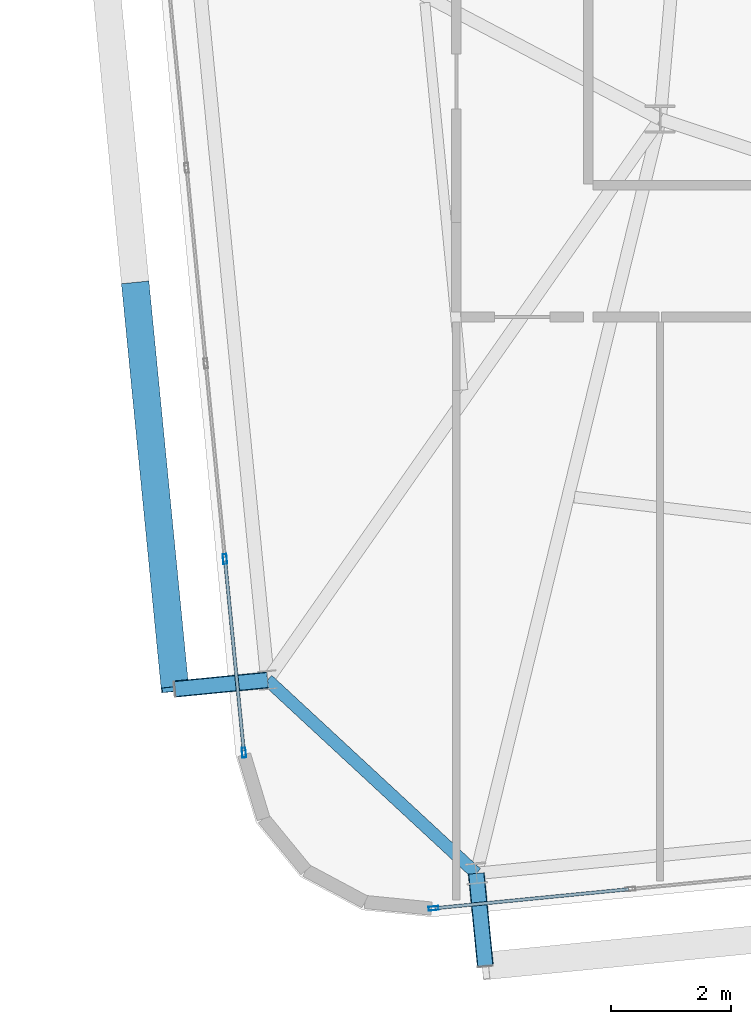
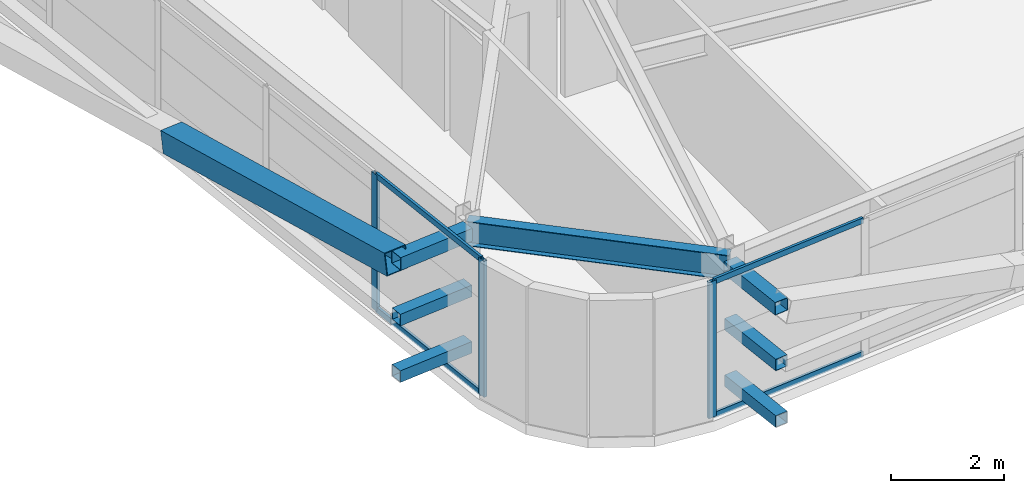
# One storey, part 5 of 52: 14 members, 1 beam, 2 elements without a shape of their own.
"""IFC4 building model written with IfcOpenShell, lengths in metres."""

import ifcopenshell
import ifcopenshell.guid

model = None  # the IFC model being written
_history = None  # IfcOwnerHistory: only IFC2X3 demands one
_inside = {}  # id of a spatial element -> (the spatial element, [elements in it])
_under = {}  # id of a project, library or spatial element -> (it, [spatial elements below it])
_declared = {}  # id of a project -> (the project, [libraries it declares])
_typed = {}  # id of a type object -> (the type object, [elements of that type])
_made_of = {}  # id of a material, layer set ... -> (it, [elements and type objects made of it])


def new_model(schema):
    """Start an empty IFC model of exactly this schema.

    Asked for "IFC4X3", IfcOpenShell would pick the latest addendum, in which some entities
    have other attributes; the version numbers below select the first issue.
    IFC2X3 requires an IfcOwnerHistory on every rooted entity: one is made here for all.
    """
    global model, _history
    if schema == "IFC4X3":
        model = ifcopenshell.file(schema_version=(4, 3, 0, 0))
    else:
        model = ifcopenshell.file(schema=schema)
    _inside.clear()
    _under.clear()
    _declared.clear()
    _typed.clear()
    _made_of.clear()
    _history = None
    if model.schema == "IFC2X3":
        org = make("IfcOrganization", Name="unknown")
        user = make(
            "IfcPersonAndOrganization",
            ThePerson=make("IfcPerson", FamilyName="unknown"),
            TheOrganization=org,
        )
        app = make(
            "IfcApplication",
            ApplicationDeveloper=org,
            Version="unknown",
            ApplicationFullName="unknown",
            ApplicationIdentifier="unknown",
        )
        _history = make(
            "IfcOwnerHistory",
            OwningUser=user,
            OwningApplication=app,
            ChangeAction="ADDED",
            CreationDate=0,
        )
    return model


def make(cls, **values):
    """One entity of the class cls with the attributes given. An attribute that is None is left unset."""
    return model.create_entity(
        cls, **{name: value for name, value in values.items() if value is not None}
    )


def rooted(cls, **values):
    """An entity with a GlobalId (a new one), such as an element, a storey or a relation."""
    return make(cls, GlobalId=ifcopenshell.guid.new(), OwnerHistory=_history, **values)


def si_unit(unit_type, name, prefix=None):
    """IfcSIUnit, for example si_unit("LENGTHUNIT", "METRE", prefix="MILLI")."""
    return make("IfcSIUnit", UnitType=unit_type, Prefix=prefix, Name=name)


def assignment(units):
    """IfcUnitAssignment: the units of a project."""
    return None if units is None else make("IfcUnitAssignment", Units=units)


def point(xyz):
    """IfcCartesianPoint."""
    return None if xyz is None else make("IfcCartesianPoint", Coordinates=xyz)


def direction(xyz):
    """IfcDirection."""
    return None if xyz is None else make("IfcDirection", DirectionRatios=xyz)


def frame(location, z_axis=None, x_axis=None):
    """IfcAxis2Placement3D, a coordinate frame: its origin and axes. An axis left out is left unset."""
    return make(
        "IfcAxis2Placement3D",
        Location=point(location),
        Axis=direction(z_axis),
        RefDirection=direction(x_axis),
    )


def frame_2d(location, x_axis=None):
    """IfcAxis2Placement2D, a coordinate frame in the plane: its origin and x axis."""
    return make(
        "IfcAxis2Placement2D", Location=point(location), RefDirection=direction(x_axis)
    )


def origin():
    """The frame at (0, 0, 0) with its axes left unset."""
    return frame((0.0, 0.0, 0.0))


def origin_2d():
    """The frame at (0, 0) in the plane with its x axis left unset."""
    return frame_2d((0.0, 0.0))


def place(relative_to, where):
    """IfcLocalPlacement: puts the frame where relative to a parent placement (None: the world)."""
    return make(
        "IfcLocalPlacement", PlacementRelTo=relative_to, RelativePlacement=where
    )


def context(
    kind, dimensions, precision=None, world=None, true_north=None, identifier=None
):
    """IfcGeometricRepresentationContext, for example the 3D "Model" context."""
    return make(
        "IfcGeometricRepresentationContext",
        ContextIdentifier=identifier,
        ContextType=kind,
        CoordinateSpaceDimension=dimensions,
        Precision=precision,
        WorldCoordinateSystem=world,
        TrueNorth=true_north,
    )


def subcontext(parent, identifier, kind, view, scale=None):
    """IfcGeometricRepresentationSubContext, for example "Body" below "Model"."""
    return make(
        "IfcGeometricRepresentationSubContext",
        ContextIdentifier=identifier,
        ContextType=kind,
        ParentContext=parent,
        TargetScale=scale,
        TargetView=view,
    )


def project(units=None, contexts=None):
    """IfcProject with its units and contexts."""
    return rooted(
        "IfcProject",
        Name="project",
        RepresentationContexts=contexts,
        UnitsInContext=assignment(units),
    )


def spatial(cls, under=None, at=None, **own):
    """A site, building, storey or space (cls), placed at a placement, below another one or the project."""
    s = rooted(cls, ObjectPlacement=at, **own)
    if under is not None:
        _under.setdefault(under.id(), (under, []))[1].append(s)
    return s


def profile(cls, at=None, kind="AREA", **sizes):
    """A parametric profile (cls). Its sizes go by their IFC names, for example OverallWidth=200.0."""
    return make(cls, ProfileType=kind, Position=at, **sizes)


def hollow_rectangle(**sizes):
    """IfcRectangleHollowProfileDef."""
    return profile("IfcRectangleHollowProfileDef", **sizes)


def i_section(**sizes):
    """IfcIShapeProfileDef."""
    return profile("IfcIShapeProfileDef", **sizes)


def extrude(swept, where, along, depth):
    """IfcExtrudedAreaSolid: the profile swept, set in the frame where, extruded along a direction by depth."""
    return make(
        "IfcExtrudedAreaSolid",
        SweptArea=swept,
        Position=where,
        ExtrudedDirection=direction(along),
        Depth=depth,
    )


def shape(context_of_items, identifier, shape_type, items):
    """IfcShapeRepresentation: the items that make up one representation, for example the "Body"."""
    return make(
        "IfcShapeRepresentation",
        ContextOfItems=context_of_items,
        RepresentationIdentifier=identifier,
        RepresentationType=shape_type,
        Items=items,
    )


def source(mapping_origin, context_of_items, identifier, shape_type, items):
    """IfcRepresentationMap: a shape defined once, which mapped items show again and again."""
    return make(
        "IfcRepresentationMap",
        MappingOrigin=mapping_origin,
        MappedRepresentation=shape(context_of_items, identifier, shape_type, items),
    )


def transform(
    local_origin,
    x_axis=None,
    y_axis=None,
    z_axis=None,
    scale=None,
    scale2=None,
    scale3=None,
    uniform=True,
):
    """IfcCartesianTransformationOperator3D, or its non-uniform kind. x_axis, y_axis, z_axis: its Axis1, 2, 3."""
    if uniform:
        return make(
            "IfcCartesianTransformationOperator3D",
            Axis1=direction(x_axis),
            Axis2=direction(y_axis),
            LocalOrigin=point(local_origin),
            Scale=scale,
            Axis3=direction(z_axis),
        )
    return make(
        "IfcCartesianTransformationOperator3DnonUniform",
        Axis1=direction(x_axis),
        Axis2=direction(y_axis),
        LocalOrigin=point(local_origin),
        Scale=scale,
        Axis3=direction(z_axis),
        Scale2=scale2,
        Scale3=scale3,
    )


def mapped(mapping_source, mapping_target):
    """IfcMappedItem: shows the shape of a source again, moved by a transform."""
    return make(
        "IfcMappedItem", MappingSource=mapping_source, MappingTarget=mapping_target
    )


def material(Name=None, Category=None):
    """IfcMaterial."""
    return make("IfcMaterial", Name=Name, Category=Category)


def layer(
    of_material, thickness, ventilated=None, Name=None, Category=None, Priority=None
):
    """IfcMaterialLayer: one layer of a wall or slab, of a material (None: an air gap)."""
    return make(
        "IfcMaterialLayer",
        Material=of_material,
        LayerThickness=thickness,
        IsVentilated=ventilated,
        Name=Name,
        Category=Category,
        Priority=Priority,
    )


def layer_set(layers, Name=None):
    """IfcMaterialLayerSet."""
    return make("IfcMaterialLayerSet", MaterialLayers=layers, LayerSetName=Name)


def material_profile(
    of_material, cross_section, Name=None, Category=None, Priority=None
):
    """IfcMaterialProfile: a cross section and its material."""
    return make(
        "IfcMaterialProfile",
        Name=Name,
        Material=of_material,
        Profile=cross_section,
        Priority=Priority,
        Category=Category,
    )


def profile_set(profiles, Name=None, composite=None):
    """IfcMaterialProfileSet."""
    return make(
        "IfcMaterialProfileSet",
        Name=Name,
        MaterialProfiles=profiles,
        CompositeProfile=composite,
    )


def made_of(thing, what):
    """Note that an element or type object is made of a material, layer set ...; save() writes the relation."""
    if what is not None:
        _made_of.setdefault(what.id(), (what, []))[1].append(thing)
    return thing


def type_object(cls, material=None, **own):
    """A type object (cls), such as IfcWallType, which elements share."""
    return made_of(rooted(cls, **own), material)


def element(
    cls,
    number,
    at=None,
    inside=None,
    cuts=None,
    type_object=None,
    material=None,
    context=None,
    identifier="Body",
    shape_type=None,
    held_by="IfcProductDefinitionShape",
    body=None,
    shapes=None,
    **own,
):
    """One element of the class cls, such as IfcWall. Its Tag is "e" and its number.

    at: its placement. inside: the storey or other place that contains it. cuts: it is an
    opening in that element (IfcRelVoidsElement). A single representation is given by context,
    identifier, shape_type and body (its items); several are given by shapes. held_by: the class
    of the entity that holds the representations. save() writes the other relations.
    """
    e = rooted(cls, Tag="e%d" % number, ObjectPlacement=at, **own)
    if body is not None:
        shapes = [shape(context, identifier, shape_type, body)]
    if shapes is not None:
        e.Representation = make(held_by, Representations=shapes)
    if inside is not None:
        _inside.setdefault(inside.id(), (inside, []))[1].append(e)
    if cuts is not None:
        rooted(
            "IfcRelVoidsElement", RelatingBuildingElement=cuts, RelatedOpeningElement=e
        )
    if type_object is not None:
        _typed.setdefault(type_object.id(), (type_object, []))[1].append(e)
    return made_of(e, material)


def aggregate(whole, parts):
    """IfcRelAggregates: a whole, such as a stair, and the parts it consists of."""
    return rooted("IfcRelAggregates", RelatingObject=whole, RelatedObjects=parts)


def save(model, path):
    """Write the relations noted so far, then the file.

    IfcRelAggregates (storeys below a building ...), IfcRelContainedInSpatialStructure (elements
    in a storey), IfcRelDefinesByType, IfcRelAssociatesMaterial and IfcRelDeclares: one each for
    every whole, place, type object, material and project.
    """
    for whole, parts in _under.values():
        aggregate(whole, parts)
    for where, things in _inside.values():
        rooted(
            "IfcRelContainedInSpatialStructure",
            RelatedElements=things,
            RelatingStructure=where,
        )
    for kind, things in _typed.values():
        rooted("IfcRelDefinesByType", RelatedObjects=things, RelatingType=kind)
    for what, things in _made_of.values():
        rooted("IfcRelAssociatesMaterial", RelatedObjects=things, RelatingMaterial=what)
    for by, libraries in _declared.values():
        rooted("IfcRelDeclares", RelatingContext=by, RelatedDefinitions=libraries)
    model.write(path)


model = new_model("IFC4")

# Units and contexts
model_context = context("Model", 3, precision=1e-05, world=origin(), true_north=direction((0.0, 1.0)))
body_context = subcontext(model_context, "Body", "Model", "MODEL_VIEW")
ifc_project = project(units=[si_unit("LENGTHUNIT", "METRE"), si_unit("AREAUNIT", "SQUARE_METRE"), si_unit("VOLUMEUNIT", "CUBIC_METRE"), si_unit("PLANEANGLEUNIT", "RADIAN"), si_unit("MASSUNIT", "GRAM", prefix="KILO")], contexts=[model_context])

# Site, building, storey
site_placement = place(None, origin())
site = spatial("IfcSite", under=ifc_project, at=site_placement, CompositionType="ELEMENT")
building_placement = place(site_placement, origin())
building = spatial("IfcBuilding", under=site, at=building_placement, Name="Taldren Reach Tower", CompositionType="ELEMENT")
storey_placement = place(building_placement, frame((0.0, 0.0, 96.60009765625)))
storey = spatial("IfcBuildingStorey", under=building, at=storey_placement, Name="L29", CompositionType="ELEMENT", Elevation=96.60009765625)

# Beam
ifc_material_1 = material(Name="Steel Gr 350 (350PLUS)", Category="steel")
ifc_material_profile_1 = material_profile(ifc_material_1, i_section(OverallWidth=0.208984375, OverallDepth=0.528076171875, WebThickness=0.009521484375, FlangeThickness=0.01318359375, at=origin_2d()), Name="530UB82.0")
ifc_profile_set_1 = profile_set([ifc_material_profile_1], Name="Steel Gr 350 (350PLUS)")
beam_type = type_object("IfcBeamType", Name="SP-UB530B", PredefinedType="SPANDREL", material=ifc_profile_set_1)
shared_shape_1 = source(origin(), body_context, "Body", "SweptSolid", [
    extrude(i_section(OverallWidth=0.208984375, OverallDepth=0.528076171875, WebThickness=0.009521484375, FlangeThickness=0.01318359375, at=origin_2d()), origin(), (0.0, 0.0, 1.0), 4.745849609375),
])
beam_placement = place(storey_placement, frame((11.452880859375, 3.145751953125, 2.666015625), z_axis=(0.733524121458, -0.679663419083, 0.0), x_axis=(0.679663419083, 0.733524121458, 0.0)))
element("IfcBeam", 1, at=beam_placement, inside=storey, type_object=beam_type, Name="Perimeter spandrel B2 W1-S1 L29", PredefinedType="SPANDREL", context=body_context, shape_type="MappedRepresentation", body=[
    mapped(shared_shape_1, transform((0.0, 0.0, 0.0), scale=1.0)),
])

# Members
ifc_material_2 = material(Name="Steel Gr 450 (C450L0)", Category="steel")
ifc_material_profile_2 = material_profile(ifc_material_2, hollow_rectangle(XDim=0.27490234375, YDim=0.27490234375, WallThickness=0.00927734375, at=origin_2d()), Name="275x275x9.3SHS")
ifc_profile_set_2 = profile_set([ifc_material_profile_2], Name="Steel Gr 450 (C450L0)")
member_type_1 = type_object("IfcMemberType", Name="MB-TIE273", PredefinedType="STRUT", material=ifc_profile_set_2)
shared_shape_2 = source(origin(), body_context, "Body", "SweptSolid", [
    extrude(hollow_rectangle(XDim=0.27490234375, YDim=0.27490234375, WallThickness=0.00927734375, at=origin_2d()), origin(), (0.0, 0.0, 1.0), 1.550048828125),
])
for number, where, z_axis, x_axis, name in (
    (2, (14.93408203125, -0.079833984375, 2.64990234375), (0.097647892962, -0.9952210252, 0.0), (0.9952210252, 0.097647892962, 0.0), "Exoskeleton diaphragm tie strut B2-S1 L29"),
    (3, (11.452880859375, 3.145751953125, 2.64990234375), (-0.995236318924, -0.097491894511, 0.0), (0.097491894511, -0.995236318924, 0.0), "Exoskeleton diaphragm tie strut B2-W1 L29"),
):
    element("IfcMember", number, at=place(storey_placement, frame(where, z_axis=z_axis, x_axis=x_axis)), inside=storey, type_object=member_type_1, Name=name, PredefinedType="STRUT", context=body_context, shape_type="MappedRepresentation", body=[
        mapped(shared_shape_2, transform((0.0, 0.0, 0.0), scale=1.0)),
    ])
ifc_material_3 = material(Name="Steel Gr 350 (C350L0)", Category="steel")
ifc_material_profile_3 = material_profile(ifc_material_3, hollow_rectangle(XDim=0.25, YDim=0.25, WallThickness=0.010009765625, at=origin_2d()), Name="250x250x10.0SHS")
ifc_profile_set_3 = profile_set([ifc_material_profile_3], Name="Steel Gr 350 (C350L0)")
member_type_2 = type_object("IfcMemberType", Name="MB-POST250", PredefinedType="POST", material=ifc_profile_set_3)
shared_shape_3 = source(origin(), body_context, "Body", "SweptSolid", [
    extrude(hollow_rectangle(XDim=0.25, YDim=0.25, WallThickness=0.010009765625, at=origin_2d()), origin(), (0.0, 0.0, 1.0), 1.550048828125),
])
for number, where, z_axis, x_axis, name in (
    (4, (14.93408203125, -0.079833984375, 0.219970703125), (0.097647892962, -0.9952210252, 0.0), (0.9952210252, 0.097647892962, 0.0), "Exoskeleton base diaphragm tie strut B2-S1 L29"),
    (5, (11.452880859375, 3.145751953125, 0.219970703125), (-0.995236318924, -0.097491894511, 0.0), (0.097491894511, -0.995236318924, 0.0), "Exoskeleton base diaphragm tie strut B2-W1 L29"),
    (6, (14.93408203125, -0.079833984375, 1.434814453125), (0.097647892962, -0.9952210252, 0.0), (0.9952210252, 0.097647892962, 0.0), "Exoskeleton mid-tier diaphragm tie B2-S1 L29"),
    (7, (11.452880859375, 3.145751953125, 1.434814453125), (-0.995236318924, -0.097491894511, 0.0), (0.097491894511, -0.995236318924, 0.0), "Exoskeleton mid-tier diaphragm tie B2-W1 L29"),
):
    element("IfcMember", number, at=place(storey_placement, frame(where, z_axis=z_axis, x_axis=x_axis)), inside=storey, type_object=member_type_2, Name=name, PredefinedType="POST", context=body_context, shape_type="MappedRepresentation", body=[
        mapped(shared_shape_3, transform((0.0, 0.0, 0.0), scale=1.0)),
    ])
ifc_material_profile_4 = material_profile(ifc_material_2, hollow_rectangle(XDim=0.4599609375, YDim=0.4599609375, WallThickness=0.01611328125, at=origin_2d()), Name="460x460x16.0SHS")
ifc_profile_set_4 = profile_set([ifc_material_profile_4], Name="Steel Gr 450 (C450L0)")
member_type_3 = type_object("IfcMemberType", Name="MB-EXO457", PredefinedType="BRACE", material=ifc_profile_set_4)
shared_shape_4 = source(origin(), body_context, "Body", "SweptSolid", [
    extrude(hollow_rectangle(XDim=0.4599609375, YDim=0.4599609375, WallThickness=0.01611328125, at=origin_2d()), origin(), (0.0, 0.0, 1.0), 6.883056640625),
])
member_1_placement = place(storey_placement, frame((9.2490234375, 9.7373046875, 1.434814453125), z_axis=(0.09605145821, -0.97959718347, 0.176531797456), x_axis=(0.995227290009, 0.097584021339, 0.0)))
element("IfcMember", 8, at=member_1_placement, inside=storey, type_object=member_type_3, Name="Exoskeleton Diagrid Brace B2-W1 L29", PredefinedType="BRACE", context=body_context, shape_type="MappedRepresentation", body=[
    mapped(shared_shape_4, transform((0.0, 0.0, 0.0), scale=1.0)),
])

# Curtain wall, member
ifc_material_4 = material(Name="Aluminium and Low-E Glass Unitised System", Category="aluminium")
ifc_layer = layer(ifc_material_4, 0.159912109375)
ifc_layer_set = layer_set([ifc_layer], Name="Aluminium and Low-E Glass Unitised System")
curtain_wall_type = type_object("IfcCurtainWallType", Name="CW-SYS-3", PredefinedType="NOTDEFINED", material=ifc_layer_set)
curtain_wall_1_placement = place(storey_placement, origin())
curtain_wall_1 = element("IfcCurtainWall", 9, at=curtain_wall_1_placement, inside=storey, type_object=curtain_wall_type, Name="Unitised curtain wall CW-L29-S", PredefinedType="NOTDEFINED")
ifc_material_5 = material(Name="Anodised Aluminium 6063-T6", Category="aluminium")
ifc_material_profile_5 = material_profile(ifc_material_5, hollow_rectangle(XDim=0.06494140625, YDim=0.1650390625, WallThickness=0.00390625, at=origin_2d()), Name="ALU-165x65x4RHS")
ifc_profile_set_5 = profile_set([ifc_material_profile_5], Name="Anodised Aluminium 6063-T6")
member_type_4 = type_object("IfcMemberType", Name="CW-MUL-165", PredefinedType="MULLION", material=ifc_profile_set_5)
shared_shape_5 = source(origin(), body_context, "Body", "SweptSolid", [
    extrude(hollow_rectangle(XDim=0.06494140625, YDim=0.1650390625, WallThickness=0.00390625, at=origin_2d()), origin(), (0.0, 0.0, 1.0), 2.929931640625),
])
member_2_placement = place(storey_placement, frame((14.22021484375, -0.662353515625, 0.0), z_axis=(0.0, 0.0, 1.0), x_axis=(-0.097582999046, 0.995227390247, 0.0)))
member_2 = element("IfcMember", 10, at=member_2_placement, type_object=member_type_4, Name="CW-3 mullion 1", PredefinedType="MULLION", context=body_context, shape_type="MappedRepresentation", body=[
    mapped(shared_shape_5, transform((0.0, 0.0, 0.0), scale=1.0)),
])

# Curtain wall, members
curtain_wall_2_placement = place(storey_placement, origin())
curtain_wall_2 = element("IfcCurtainWall", 11, at=curtain_wall_2_placement, inside=storey, type_object=curtain_wall_type, Name="Unitised curtain wall CW-L29-W", PredefinedType="NOTDEFINED")
member_3_placement = place(storey_placement, frame((10.742431640625, 5.163818359375, 0.0), z_axis=(0.0, 0.0, 1.0), x_axis=(0.99522741555, 0.09758274098, 0.0)))
member_3 = element("IfcMember", 12, at=member_3_placement, type_object=member_type_4, Name="CW-3 mullion 9", PredefinedType="MULLION", context=body_context, shape_type="MappedRepresentation", body=[
    mapped(shared_shape_5, transform((0.0, 0.0, 0.0), scale=1.0)),
])
member_4_placement = place(storey_placement, frame((11.05908203125, 1.93408203125, 0.0), z_axis=(0.0, 0.0, 1.0), x_axis=(0.99522741555, 0.09758274098, 0.0)))
member_4 = element("IfcMember", 13, at=member_4_placement, type_object=member_type_4, Name="CW-3 mullion 10", PredefinedType="MULLION", context=body_context, shape_type="MappedRepresentation", body=[
    mapped(shared_shape_5, transform((0.0, 0.0, 0.0), scale=1.0)),
])

# Member
ifc_material_profile_6 = material_profile(ifc_material_5, hollow_rectangle(XDim=0.054931640625, YDim=0.1201171875, WallThickness=0.0029296875, at=origin_2d()), Name="ALU-120x55x3RHS")
ifc_profile_set_6 = profile_set([ifc_material_profile_6], Name="Anodised Aluminium 6063-T6")
member_type_5 = type_object("IfcMemberType", Name="CW-TRN-135", PredefinedType="USERDEFINED", material=ifc_profile_set_6)
shared_shape_6 = source(origin(), body_context, "Body", "SweptSolid", [
    extrude(hollow_rectangle(XDim=0.054931640625, YDim=0.1201171875, WallThickness=0.0029296875, at=origin_2d()), origin(), (0.0, 0.0, 1.0), 3.23583984375),
])
member_5_placement = place(storey_placement, frame((14.25244140625, -0.6591796875, 0.02734375), z_axis=(0.995230248826, 0.097553840629, 0.0), x_axis=(-0.097553840629, 0.995230248826, 0.0)))
member_5 = element("IfcMember", 14, at=member_5_placement, type_object=member_type_5, Name="CW-3 transom 1.1", ObjectType="TRANSOM", PredefinedType="USERDEFINED", context=body_context, shape_type="MappedRepresentation", body=[
    mapped(shared_shape_6, transform((0.0, 0.0, 0.0), scale=1.0)),
])

member_6_placement = place(storey_placement, frame((14.25244140625, -0.6591796875, 2.90234375), z_axis=(0.995230248826, 0.097553840629, 0.0), x_axis=(-0.097553840629, 0.995230248826, 0.0)))
member_6 = element("IfcMember", 15, at=member_6_placement, type_object=member_type_5, Name="CW-3 transom 1.2", ObjectType="TRANSOM", PredefinedType="USERDEFINED", context=body_context, shape_type="MappedRepresentation", body=[
    mapped(shared_shape_6, transform((0.0, 0.0, 0.0), scale=1.0)),
])

aggregate(curtain_wall_1, [member_2, member_5, member_6])

shared_shape_7 = source(origin(), body_context, "Body", "SweptSolid", [
    extrude(hollow_rectangle(XDim=0.054931640625, YDim=0.1201171875, WallThickness=0.0029296875, at=origin_2d()), origin(), (0.0, 0.0, 1.0), 3.180419921875),
])
member_7_placement = place(storey_placement, frame((10.74560546875, 5.131591796875, 0.02734375), z_axis=(0.097565460739, -0.995229109738, 0.0), x_axis=(0.995229109738, 0.097565460739, 0.0)))
member_7 = element("IfcMember", 16, at=member_7_placement, type_object=member_type_5, Name="CW-3 transom 9.1", ObjectType="TRANSOM", PredefinedType="USERDEFINED", context=body_context, shape_type="MappedRepresentation", body=[
    mapped(shared_shape_7, transform((0.0, 0.0, 0.0), scale=1.0)),
])

member_8_placement = place(storey_placement, frame((10.74560546875, 5.131591796875, 2.90234375), z_axis=(0.097565460739, -0.995229109738, 0.0), x_axis=(0.995229109738, 0.097565460739, 0.0)))
member_8 = element("IfcMember", 17, at=member_8_placement, type_object=member_type_5, Name="CW-3 transom 9.2", ObjectType="TRANSOM", PredefinedType="USERDEFINED", context=body_context, shape_type="MappedRepresentation", body=[
    mapped(shared_shape_7, transform((0.0, 0.0, 0.0), scale=1.0)),
])

aggregate(curtain_wall_2, [member_3, member_4, member_7, member_8])

save(model, "model.ifc")
